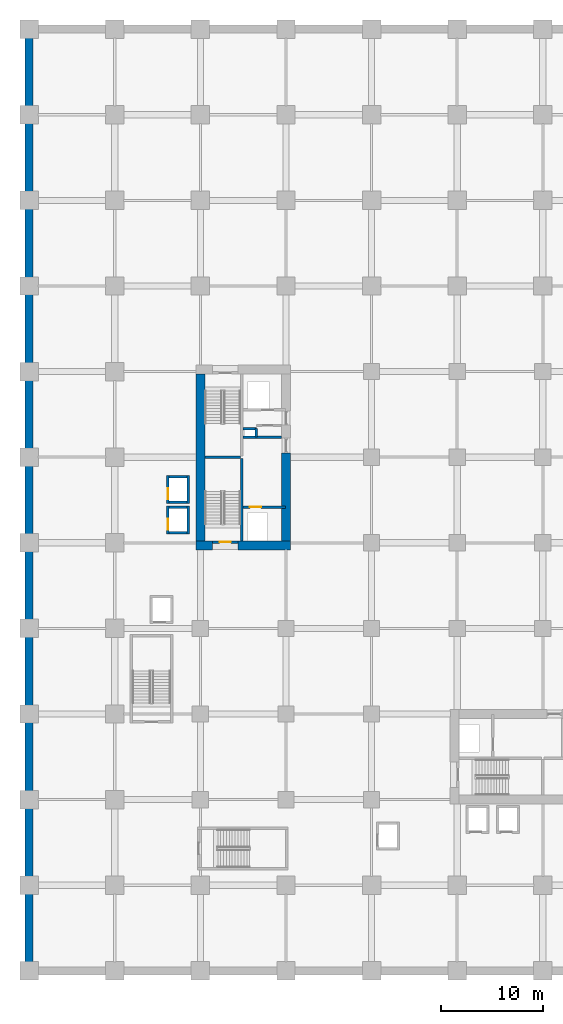
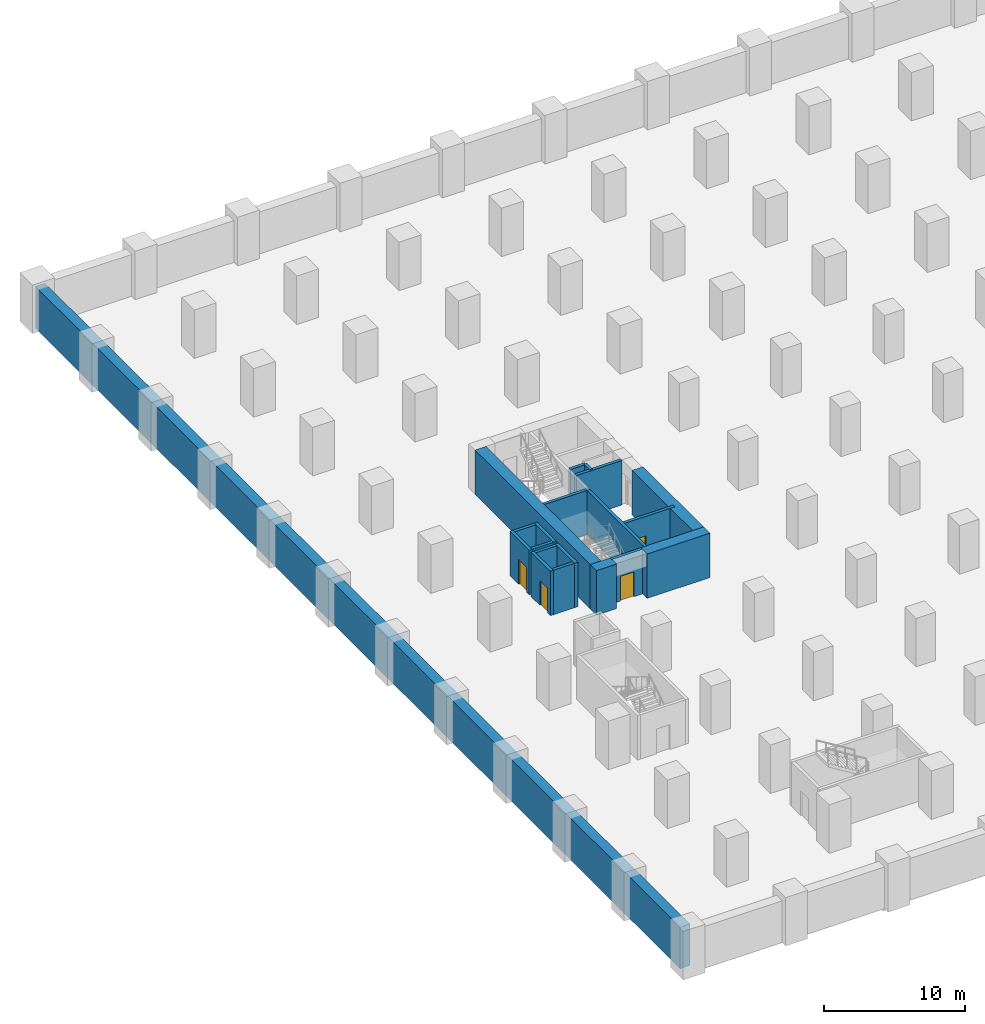
# One storey, part 8 of 13: 20 walls, 4 doors, 4 openings.
"""IFC4 building model written with IfcOpenShell, lengths in metres."""

from ifc_helpers import new_model, si_unit, direction, frame, frame_2d, origin, place, context, subcontext, project, spatial, rectangle, extrude, material, layer, layer_set, type_object, element, fill, save


model = new_model("IFC4")

# Units and contexts
model_context = context("Model", 3, precision=1e-05, world=origin(), true_north=direction((0.0, 1.0)))
body_context = subcontext(model_context, "Body", "Model", "MODEL_VIEW")
ifc_project = project(units=[si_unit("LENGTHUNIT", "METRE"), si_unit("AREAUNIT", "SQUARE_METRE"), si_unit("VOLUMEUNIT", "CUBIC_METRE"), si_unit("PLANEANGLEUNIT", "RADIAN"), si_unit("MASSUNIT", "GRAM", prefix="KILO")], contexts=[model_context])

# Site, building, storey
site_placement = place(None, origin())
site = spatial("IfcSite", under=ifc_project, at=site_placement, CompositionType="ELEMENT")
building_placement = place(site_placement, origin())
building = spatial("IfcBuilding", under=site, at=building_placement, Name="Koriwani Terraces Tower", CompositionType="ELEMENT")
storey_placement = place(building_placement, frame((0.0, 0.0, -4.199951171875)))
storey = spatial("IfcBuildingStorey", under=building, at=storey_placement, Name="B01", CompositionType="ELEMENT", Elevation=-4.199951171875)

# Walls
ifc_material_1 = material(Name="Concrete C50/60", Category="concrete")
ifc_layer_1 = layer(ifc_material_1, 0.800048828125, Name="Concrete C50/60")
ifc_layer_set_1 = layer_set([ifc_layer_1], Name="Concrete C50/60")
wall_type_1 = type_object("IfcWallType", Name="WALL_BASEMENT_RET_800", PredefinedType="USERDEFINED", material=ifc_layer_set_1)
wall_1_placement = place(storey_placement, frame((0.0, 92.0, 0.0), z_axis=(0.0, 0.0, 1.0), x_axis=(0.0, -1.0, 0.0)))
element("IfcWall", 1, at=wall_1_placement, inside=storey, type_object=wall_type_1, Name="B01 Perimeter Retaining Wall (W)", ObjectType="RETAININGWALL", PredefinedType="USERDEFINED", context=body_context, shape_type="SweptSolid", body=[
    extrude(rectangle(XDim=91.60009765625, YDim=0.800048828125, at=frame_2d((45.800048828125, 0.0))), origin(), (0.0, 0.0, 1.0), 3.619873046875),
])
ifc_material_2 = material(Name="Concrete C60/75", Category="concrete")
ifc_layer_2 = layer(ifc_material_2, 0.89990234375, Name="Concrete C60/75")
ifc_layer_set_2 = layer_set([ifc_layer_2], Name="Concrete C60/75")
wall_type_2 = type_object("IfcWallType", Name="WALL_CORE_RC_900", PredefinedType="SHEAR", material=ifc_layer_set_2)
wall_2_placement = place(storey_placement, frame((16.35009765625, 41.75, 0.0), z_axis=(0.0, 0.0, 1.0), x_axis=(1.0, 0.0, 0.0)))
element("IfcWall", 2, at=wall_2_placement, inside=storey, type_object=wall_type_2, Name="B01 West Split Core Shear Wall S1", PredefinedType="SHEAR", context=body_context, shape_type="SweptSolid", body=[
    extrude(rectangle(XDim=1.64990234375, YDim=0.89990234375, at=frame_2d((0.824951171875, 0.0))), origin(), (0.0, 0.0, 1.0), 3.849853515625),
])
wall_3_placement = place(storey_placement, frame((20.5, 41.75, 0.0), z_axis=(0.0, 0.0, 1.0), x_axis=(1.0, 0.0, 0.0)))
element("IfcWall", 3, at=wall_3_placement, inside=storey, type_object=wall_type_2, Name="B01 West Split Core Shear Wall S2", PredefinedType="SHEAR", context=body_context, shape_type="SweptSolid", body=[
    extrude(rectangle(XDim=5.14990234375, YDim=0.89990234375, at=frame_2d((2.574951171875, 0.0))), origin(), (0.0, 0.0, 1.0), 3.849853515625),
])
wall_4_placement = place(storey_placement, frame((16.800048828125, 42.199951171875, 0.0), z_axis=(0.0, 0.0, 1.0), x_axis=(0.0, 1.0, 0.0)))
element("IfcWall", 4, at=wall_4_placement, inside=storey, type_object=wall_type_2, Name="B01 West Split Core Shear Wall W1", PredefinedType="SHEAR", context=body_context, shape_type="SweptSolid", body=[
    extrude(rectangle(XDim=16.35009765625, YDim=0.89990234375, at=frame_2d((8.175048828125, 0.0))), origin(), (0.0, 0.0, 1.0), 3.849853515625),
])
wall_5_placement = place(storey_placement, frame((25.199951171875, 42.199951171875, 0.0), z_axis=(0.0, 0.0, 1.0), x_axis=(0.0, 1.0, 0.0)))
element("IfcWall", 5, at=wall_5_placement, inside=storey, type_object=wall_type_2, Name="B01 West Split Core Shear Wall E1", PredefinedType="SHEAR", context=body_context, shape_type="SweptSolid", body=[
    extrude(rectangle(XDim=8.60009765625, YDim=0.89990234375, at=frame_2d((4.300048828125, 0.0))), origin(), (0.0, 0.0, 1.0), 3.849853515625),
])
ifc_material_3 = material(Name="Concrete C40/50", Category="concrete")
ifc_layer_3 = layer(ifc_material_3, 0.25, Name="Concrete C40/50")
ifc_layer_set_3 = layer_set([ifc_layer_3], Name="Concrete C40/50")
wall_type_3 = type_object("IfcWallType", Name="WALL_SHAFT_RATED_250", PredefinedType="SOLIDWALL", material=ifc_layer_set_3)
wall_6_placement = place(storey_placement, frame((20.875, 42.199951171875, 0.0), z_axis=(0.0, 0.0, 1.0), x_axis=(0.0, 1.0, 0.0)))
element("IfcWall", 6, at=wall_6_placement, inside=storey, type_object=wall_type_3, Name="B01 West Split Core Web Wall MID1", PredefinedType="SOLIDWALL", context=body_context, shape_type="SweptSolid", body=[
    extrude(rectangle(XDim=8.050048828125, YDim=0.25, at=frame_2d((4.02490234375, 0.0))), origin(), (0.0, 0.0, 1.0), 3.849853515625),
])
wall_7_placement = place(storey_placement, frame((17.25, 50.375, 0.0), z_axis=(0.0, 0.0, 1.0), x_axis=(1.0, 0.0, 0.0)))
element("IfcWall", 7, at=wall_7_placement, inside=storey, type_object=wall_type_3, Name="B01 West Split Core Stair Dividing Wall", PredefinedType="SOLIDWALL", context=body_context, shape_type="SweptSolid", body=[
    extrude(rectangle(XDim=3.5, YDim=0.25, at=frame_2d((1.75, 0.0))), origin(), (0.0, 0.0, 1.0), 3.849853515625),
])

# Wall, opening, door
wall_8_placement = place(storey_placement, frame((18.0, 42.074951171875, 0.0), z_axis=(0.0, 0.0, 1.0), x_axis=(1.0, 0.0, 0.0)))
wall_8 = element("IfcWall", 8, at=wall_8_placement, inside=storey, type_object=wall_type_3, Name="B01 Interior Wall WIN-CW-B01-STS", PredefinedType="SOLIDWALL", context=body_context, shape_type="SweptSolid", body=[
    extrude(rectangle(XDim=2.5, YDim=0.25, at=frame_2d((1.25, 0.0))), origin(), (0.0, 0.0, 1.0), 3.849853515625),
])
opening_1_placement = place(wall_8_placement, frame((0.699951171875, 0.0, 0.0)))
opening_1 = element("IfcOpeningElement", 9, at=opening_1_placement, cuts=wall_8, Name="Opening D-03", PredefinedType="OPENING", context=body_context, shape_type="SweptSolid", body=[
    extrude(rectangle(XDim=1.10009765625, YDim=2.14990234375, at=frame_2d((0.550048828125, 1.074951171875))), frame((0.0, 0.135009765625, 0.0), z_axis=(0.0, -1.0, 0.0), x_axis=(1.0, 0.0, 0.0)), (0.0, 0.0, 1.0), 0.27001953125),
])
ifc_material_4 = material(Name="Steel ASTM A572 Grade 50", Category="steel")
door_type_1 = type_object("IfcDoorType", Name="DOOR_STAIR_FIRE_1100X2150", OperationType="NOTDEFINED", PredefinedType="DOOR", material=ifc_material_4)
door_1_placement = place(opening_1_placement, origin())
door_1 = element("IfcDoor", 10, at=door_1_placement, inside=storey, type_object=door_type_1, Name="B01 Exit Stair ST-W1 Door", OperationType="SINGLE_SWING_LEFT", OverallHeight=2.14990234375, OverallWidth=1.10009765625, PredefinedType="DOOR", context=body_context, shape_type="SweptSolid", body=[
    extrude(rectangle(XDim=1.10009765625, YDim=2.14990234375, at=frame_2d((0.550048828125, 1.074951171875))), frame((0.0, 0.02490234375, 0.0), z_axis=(0.0, -1.0, 0.0), x_axis=(1.0, 0.0, 0.0)), (0.0, 0.0, 1.0), 0.050048828125),
])
fill(opening_1, door_1)

wall_9_placement = place(storey_placement, frame((21.0, 45.5, 0.0), z_axis=(0.0, 0.0, 1.0), x_axis=(1.0, 0.0, 0.0)))
wall_9 = element("IfcWall", 11, at=wall_9_placement, inside=storey, type_object=wall_type_3, Name="B01 Interior Wall WIN-CW-B01-FE", PredefinedType="SOLIDWALL", context=body_context, shape_type="SweptSolid", body=[
    extrude(rectangle(XDim=4.14990234375, YDim=0.25, at=frame_2d((2.074951171875, 0.0))), origin(), (0.0, 0.0, 1.0), 3.849853515625),
])
opening_2_placement = place(wall_9_placement, frame((0.64990234375, 0.0, 0.0)))
opening_2 = element("IfcOpeningElement", 12, at=opening_2_placement, cuts=wall_9, Name="Opening LD-01", PredefinedType="OPENING", context=body_context, shape_type="SweptSolid", body=[
    extrude(rectangle(XDim=1.10009765625, YDim=2.14990234375, at=frame_2d((0.550048828125, 1.074951171875))), frame((0.0, 0.135009765625, 0.0), z_axis=(0.0, -1.0, 0.0), x_axis=(1.0, 0.0, 0.0)), (0.0, 0.0, 1.0), 0.27001953125),
])
door_type_2 = type_object("IfcDoorType", Name="DOOR_LIFT_LANDING_1100X2200", OperationType="NOTDEFINED", PredefinedType="DOOR", material=ifc_material_4)
door_2_placement = place(opening_2_placement, origin())
door_2 = element("IfcDoor", 13, at=door_2_placement, inside=storey, type_object=door_type_2, Name="B01 Firefighting Lift FE-01 Landing Door", OperationType="SLIDING_TO_LEFT", OverallHeight=2.14990234375, OverallWidth=1.10009765625, PredefinedType="DOOR", context=body_context, shape_type="SweptSolid", body=[
    extrude(rectangle(XDim=1.10009765625, YDim=2.14990234375, at=frame_2d((0.550048828125, 1.074951171875))), frame((0.0, 0.02490234375, 0.0), z_axis=(0.0, -1.0, 0.0), x_axis=(1.0, 0.0, 0.0)), (0.0, 0.0, 1.0), 0.050048828125),
])
fill(opening_2, door_2)

# Walls
wall_10_placement = place(storey_placement, frame((21.0, 52.340087890625, 0.0), z_axis=(0.0, 0.0, 1.0), x_axis=(1.0, 0.0, 0.0)))
element("IfcWall", 14, at=wall_10_placement, inside=storey, type_object=wall_type_3, Name="B01 Interior Wall WIN-CW-B01-FFN", PredefinedType="SOLIDWALL", context=body_context, shape_type="SweptSolid", body=[
    extrude(rectangle(XDim=3.75, YDim=0.25, at=frame_2d((1.875, 0.0))), origin(), (0.0, 0.0, 1.0), 3.849853515625),
])
wall_11_placement = place(storey_placement, frame((21.0, 53.199951171875, 0.0), z_axis=(0.0, 0.0, 1.0), x_axis=(1.0, 0.0, 0.0)))
element("IfcWall", 15, at=wall_11_placement, inside=storey, type_object=wall_type_3, Name="B01 Interior Wall WIN-CW-B01-RS1", PredefinedType="SOLIDWALL", context=body_context, shape_type="SweptSolid", body=[
    extrude(rectangle(XDim=1.300048828125, YDim=0.25, at=frame_2d((0.64990234375, 0.0))), origin(), (0.0, 0.0, 1.0), 3.849853515625),
])
wall_12_placement = place(storey_placement, frame((22.300048828125, 52.360107421875, 0.0), z_axis=(0.0, 0.0, 1.0), x_axis=(0.0, 1.0, 0.0)))
element("IfcWall", 16, at=wall_12_placement, inside=storey, type_object=wall_type_3, Name="B01 Interior Wall WIN-CW-B01-RS2", PredefinedType="SOLIDWALL", context=body_context, shape_type="SweptSolid", body=[
    extrude(rectangle(XDim=0.83984375, YDim=0.25, at=frame_2d((0.419921875, 0.0))), origin(), (0.0, 0.0, 1.0), 3.849853515625),
])

# Wall, opening, door
wall_13_placement = place(storey_placement, frame((13.60009765625, 42.875, 0.0), z_axis=(0.0, 0.0, 1.0), x_axis=(0.0, 1.0, 0.0)))
wall_13 = element("IfcWall", 17, at=wall_13_placement, inside=storey, type_object=wall_type_3, Name="B01 Interior Wall WIN-LF-PE-L1-B01-F", PredefinedType="SOLIDWALL", context=body_context, shape_type="SweptSolid", body=[
    extrude(rectangle(XDim=2.75, YDim=0.25, at=frame_2d((1.375, 0.0))), origin(), (0.0, 0.0, 1.0), 3.849853515625),
])
opening_3_placement = place(wall_13_placement, frame((0.39990234375, 0.0, 0.0)))
opening_3 = element("IfcOpeningElement", 18, at=opening_3_placement, cuts=wall_13, Name="Opening LD-01", PredefinedType="OPENING", context=body_context, shape_type="SweptSolid", body=[
    extrude(rectangle(XDim=1.10009765625, YDim=2.14990234375, at=frame_2d((0.550048828125, 1.074951171875))), frame((0.0, 0.135009765625, 0.0), z_axis=(0.0, -1.0, 0.0), x_axis=(1.0, 0.0, 0.0)), (0.0, 0.0, 1.0), 0.27001953125),
])
door_3_placement = place(opening_3_placement, origin())
door_3 = element("IfcDoor", 19, at=door_3_placement, inside=storey, type_object=door_type_2, Name="B01 Passenger Lift PE-L1 Landing Door", OperationType="SLIDING_TO_LEFT", OverallHeight=2.14990234375, OverallWidth=1.10009765625, PredefinedType="DOOR", context=body_context, shape_type="SweptSolid", body=[
    extrude(rectangle(XDim=1.10009765625, YDim=2.14990234375, at=frame_2d((0.550048828125, 1.074951171875))), frame((0.0, 0.02490234375, 0.0), z_axis=(0.0, -1.0, 0.0), x_axis=(1.0, 0.0, 0.0)), (0.0, 0.0, 1.0), 0.050048828125),
])
fill(opening_3, door_3)

# Walls
wall_14_placement = place(storey_placement, frame((15.60009765625, 42.875, 0.0), z_axis=(0.0, 0.0, 1.0), x_axis=(0.0, 1.0, 0.0)))
element("IfcWall", 20, at=wall_14_placement, inside=storey, type_object=wall_type_3, Name="B01 Interior Wall WIN-LF-PE-L1-B01-B", PredefinedType="SOLIDWALL", context=body_context, shape_type="SweptSolid", body=[
    extrude(rectangle(XDim=2.75, YDim=0.25, at=frame_2d((1.375, 0.0))), origin(), (0.0, 0.0, 1.0), 3.849853515625),
])
for number, where, z_axis, x_axis, name in (
    (21, (13.72509765625, 43.0, 0.0), (0.0, 0.0, 1.0), (1.0, 0.0, 0.0), "B01 Interior Wall WIN-LF-PE-L1-B01-S"),
    (22, (13.72509765625, 45.5, 0.0), (0.0, 0.0, 1.0), (1.0, 0.0, 0.0), "B01 Interior Wall WIN-LF-PE-L1-B01-N"),
):
    element("IfcWall", number, at=place(storey_placement, frame(where, z_axis=z_axis, x_axis=x_axis)), inside=storey, type_object=wall_type_3, Name=name, PredefinedType="SOLIDWALL", context=body_context, shape_type="SweptSolid", body=[
        extrude(rectangle(XDim=1.75, YDim=0.25, at=frame_2d((0.875, 0.0))), origin(), (0.0, 0.0, 1.0), 3.849853515625),
    ])

# Wall, opening, door
wall_15_placement = place(storey_placement, frame((13.60009765625, 45.875, 0.0), z_axis=(0.0, 0.0, 1.0), x_axis=(0.0, 1.0, 0.0)))
wall_15 = element("IfcWall", 23, at=wall_15_placement, inside=storey, type_object=wall_type_3, Name="B01 Interior Wall WIN-LF-PE-L2-B01-F", PredefinedType="SOLIDWALL", context=body_context, shape_type="SweptSolid", body=[
    extrude(rectangle(XDim=2.75, YDim=0.25, at=frame_2d((1.375, 0.0))), origin(), (0.0, 0.0, 1.0), 3.849853515625),
])
opening_4_placement = place(wall_15_placement, frame((0.39990234375, 0.0, 0.0)))
opening_4 = element("IfcOpeningElement", 24, at=opening_4_placement, cuts=wall_15, Name="Opening LD-01", PredefinedType="OPENING", context=body_context, shape_type="SweptSolid", body=[
    extrude(rectangle(XDim=1.10009765625, YDim=2.14990234375, at=frame_2d((0.550048828125, 1.074951171875))), frame((0.0, 0.135009765625, 0.0), z_axis=(0.0, -1.0, 0.0), x_axis=(1.0, 0.0, 0.0)), (0.0, 0.0, 1.0), 0.27001953125),
])
door_4_placement = place(opening_4_placement, origin())
door_4 = element("IfcDoor", 25, at=door_4_placement, inside=storey, type_object=door_type_2, Name="B01 Passenger Lift PE-L2 Landing Door", OperationType="SLIDING_TO_LEFT", OverallHeight=2.14990234375, OverallWidth=1.10009765625, PredefinedType="DOOR", context=body_context, shape_type="SweptSolid", body=[
    extrude(rectangle(XDim=1.10009765625, YDim=2.14990234375, at=frame_2d((0.550048828125, 1.074951171875))), frame((0.0, 0.02490234375, 0.0), z_axis=(0.0, -1.0, 0.0), x_axis=(1.0, 0.0, 0.0)), (0.0, 0.0, 1.0), 0.050048828125),
])
fill(opening_4, door_4)

# Walls
wall_16_placement = place(storey_placement, frame((15.60009765625, 45.875, 0.0), z_axis=(0.0, 0.0, 1.0), x_axis=(0.0, 1.0, 0.0)))
element("IfcWall", 26, at=wall_16_placement, inside=storey, type_object=wall_type_3, Name="B01 Interior Wall WIN-LF-PE-L2-B01-B", PredefinedType="SOLIDWALL", context=body_context, shape_type="SweptSolid", body=[
    extrude(rectangle(XDim=2.75, YDim=0.25, at=frame_2d((1.375, 0.0))), origin(), (0.0, 0.0, 1.0), 3.849853515625),
])
for number, where, z_axis, x_axis, name in (
    (27, (13.72509765625, 46.0, 0.0), (0.0, 0.0, 1.0), (1.0, 0.0, 0.0), "B01 Interior Wall WIN-LF-PE-L2-B01-S"),
    (28, (13.72509765625, 48.5, 0.0), (0.0, 0.0, 1.0), (1.0, 0.0, 0.0), "B01 Interior Wall WIN-LF-PE-L2-B01-N"),
):
    element("IfcWall", number, at=place(storey_placement, frame(where, z_axis=z_axis, x_axis=x_axis)), inside=storey, type_object=wall_type_3, Name=name, PredefinedType="SOLIDWALL", context=body_context, shape_type="SweptSolid", body=[
        extrude(rectangle(XDim=1.75, YDim=0.25, at=frame_2d((0.875, 0.0))), origin(), (0.0, 0.0, 1.0), 3.849853515625),
    ])

save(model, "model.ifc")
